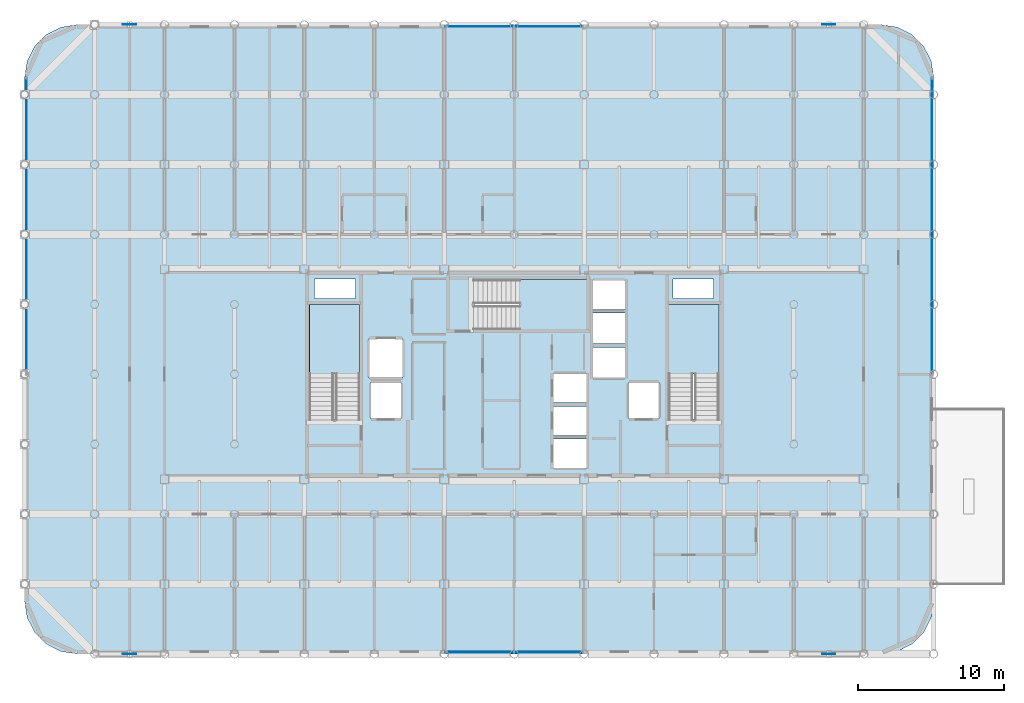
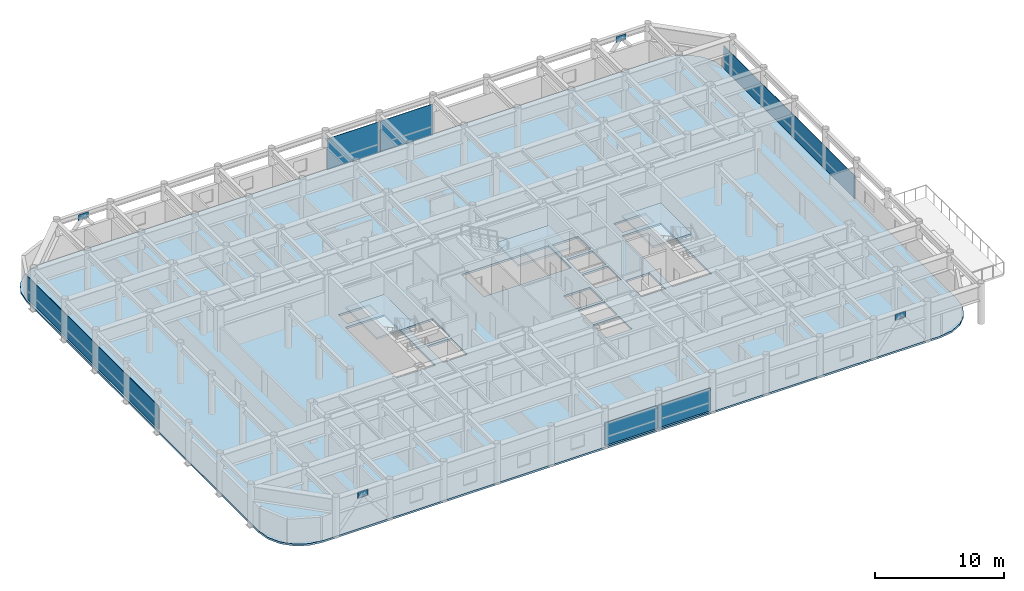
# One storey, part 17 of 25: 10 plates, 4 slabs, 7 elements without a shape of their own.
"""IFC4 building model written with IfcOpenShell, lengths in metres."""

from ifc_helpers import new_model, si_unit, direction, frame, origin, origin_2d, place, context, subcontext, project, spatial, polyline, rectangle, outline, extrude, material, layer, layer_set, type_object, element, aggregate, save


model = new_model("IFC4")

# Units and contexts
model_context = context("Model", 3, precision=1e-05, world=origin(), true_north=direction((0.0, 1.0)))
body_context = subcontext(model_context, "Body", "Model", "MODEL_VIEW")
ifc_project = project(units=[si_unit("LENGTHUNIT", "METRE"), si_unit("AREAUNIT", "SQUARE_METRE"), si_unit("VOLUMEUNIT", "CUBIC_METRE"), si_unit("PLANEANGLEUNIT", "RADIAN"), si_unit("MASSUNIT", "GRAM", prefix="KILO")], contexts=[model_context])

# Site, building, storey
site_placement = place(None, origin())
site = spatial("IfcSite", under=ifc_project, at=site_placement, CompositionType="ELEMENT")
building_placement = place(site_placement, origin())
building = spatial("IfcBuilding", under=site, at=building_placement, Name="Kallvorn Hotel Tower", CompositionType="ELEMENT")
storey_placement = place(building_placement, frame((0.0, 0.0, 249.25)))
storey = spatial("IfcBuildingStorey", under=building, at=storey_placement, Name="L62", CompositionType="ELEMENT", Elevation=249.25)

# Curtain wall, plates
ifc_material_1 = material(Name="Thermally broken black-anodised aluminium AA 6063-T6", Category="aluminium")
ifc_layer_1 = layer(ifc_material_1, 0.22998046875)
ifc_layer_set_1 = layer_set([ifc_layer_1], Name="CW_SYS_5_HOTEL_HIGH")
curtain_wall_type = type_object("IfcCurtainWallType", Name="CW_SYS_5_HOTEL_HIGH", PredefinedType="USERDEFINED", material=ifc_layer_set_1)
curtain_wall_1_placement = place(storey_placement, origin())
curtain_wall_1 = element("IfcCurtainWall", 1, at=curtain_wall_1_placement, inside=storey, type_object=curtain_wall_type, Name="L62 Dark-Glass Curtain Wall CW-L62-SC", ObjectType="UNITISED CURTAIN WALL", PredefinedType="USERDEFINED")
ifc_material_2 = material(Name="Triple-glazed low-e acoustic solar-control dark glass", Category="glass")
ifc_layer_2 = layer(ifc_material_2, 0.04150390625)
ifc_layer_set_2 = layer_set([ifc_layer_2], Name="CW_SYS_5_HOTEL_HIGH_PANEL")
plate_type_1 = type_object("IfcPlateType", Name="CW_SYS_5_HOTEL_HIGH_PANEL", PredefinedType="CURTAIN_PANEL", material=ifc_layer_set_2)
plate_1_placement = place(storey_placement, frame((-2.375, -19.080078125, 0.06005859375), z_axis=(0.0, 0.0, 1.0), x_axis=(1.0, 0.0, 0.0)))
plate_1 = element("IfcPlate", 2, at=plate_1_placement, type_object=plate_type_1, Name="CW-L62-SC Vision Glass Panel 00", PredefinedType="CURTAIN_PANEL", context=body_context, shape_type="SweptSolid", body=[
    extrude(rectangle(XDim=4.68994140625, YDim=0.04150390625, at=origin_2d()), origin(), (0.0, 0.0, 1.0), 2.14990234375),
])
plate_2_placement = place(storey_placement, frame((2.375, -19.080078125, 0.06005859375), z_axis=(0.0, 0.0, 1.0), x_axis=(1.0, 0.0, 0.0)))
plate_2 = element("IfcPlate", 3, at=plate_2_placement, type_object=plate_type_1, Name="CW-L62-SC Vision Glass Panel 01", PredefinedType="CURTAIN_PANEL", context=body_context, shape_type="SweptSolid", body=[
    extrude(rectangle(XDim=4.68994140625, YDim=0.04150390625, at=origin_2d()), origin(), (0.0, 0.0, 1.0), 2.14990234375),
])
aggregate(curtain_wall_1, [plate_1, plate_2])

curtain_wall_2_placement = place(storey_placement, origin())
curtain_wall_2 = element("IfcCurtainWall", 4, at=curtain_wall_2_placement, inside=storey, type_object=curtain_wall_type, Name="L62 Dark-Glass Curtain Wall CW-L62-NC", ObjectType="UNITISED CURTAIN WALL", PredefinedType="USERDEFINED")
plate_3_placement = place(storey_placement, frame((-2.375, 23.8798828125, 0.06005859375), z_axis=(0.0, 0.0, 1.0), x_axis=(1.0, 0.0, 0.0)))
plate_3 = element("IfcPlate", 5, at=plate_3_placement, type_object=plate_type_1, Name="CW-L62-NC Vision Glass Panel 00", PredefinedType="CURTAIN_PANEL", context=body_context, shape_type="SweptSolid", body=[
    extrude(rectangle(XDim=4.68994140625, YDim=0.04150390625, at=origin_2d()), origin(), (0.0, 0.0, 1.0), 2.89990234375),
])
plate_4_placement = place(storey_placement, frame((2.375, 23.8798828125, 0.06005859375), z_axis=(0.0, 0.0, 1.0), x_axis=(1.0, 0.0, 0.0)))
plate_4 = element("IfcPlate", 6, at=plate_4_placement, type_object=plate_type_1, Name="CW-L62-NC Vision Glass Panel 01", PredefinedType="CURTAIN_PANEL", context=body_context, shape_type="SweptSolid", body=[
    extrude(rectangle(XDim=4.68994140625, YDim=0.04150390625, at=origin_2d()), origin(), (0.0, 0.0, 1.0), 2.89990234375),
])
aggregate(curtain_wall_2, [plate_3, plate_4])

# Curtain wall, plate
curtain_wall_3_placement = place(storey_placement, origin())
curtain_wall_3 = element("IfcCurtainWall", 7, at=curtain_wall_3_placement, inside=storey, type_object=curtain_wall_type, Name="L62 Dark-Glass Curtain Wall CW-L62-WN", ObjectType="UNITISED CURTAIN WALL", PredefinedType="USERDEFINED")
plate_5_placement = place(storey_placement, frame((-33.47998046875, 10.2099609375, 0.06005859375), z_axis=(0.0, 0.0, 1.0), x_axis=(0.0, 1.0, 0.0)))
plate_5 = element("IfcPlate", 8, at=plate_5_placement, type_object=plate_type_1, Name="CW-L62-WN Vision Glass Panel 00", PredefinedType="CURTAIN_PANEL", context=body_context, shape_type="SweptSolid", body=[
    extrude(rectangle(XDim=20.320068359375, YDim=0.04150390625, at=origin_2d()), origin(), (0.0, 0.0, 1.0), 2.14990234375),
])
aggregate(curtain_wall_3, [plate_5])

curtain_wall_4_placement = place(storey_placement, origin())
curtain_wall_4 = element("IfcCurtainWall", 9, at=curtain_wall_4_placement, inside=storey, type_object=curtain_wall_type, Name="L62 Dark-Glass Curtain Wall CW-L62-EN", ObjectType="UNITISED CURTAIN WALL", PredefinedType="USERDEFINED")
plate_6_placement = place(storey_placement, frame((28.679931640625, 10.2099609375, 0.06005859375), z_axis=(0.0, 0.0, 1.0), x_axis=(0.0, 1.0, 0.0)))
plate_6 = element("IfcPlate", 10, at=plate_6_placement, type_object=plate_type_1, Name="CW-L62-EN Vision Glass Panel 00", PredefinedType="CURTAIN_PANEL", context=body_context, shape_type="SweptSolid", body=[
    extrude(rectangle(XDim=20.320068359375, YDim=0.04150390625, at=origin_2d()), origin(), (0.0, 0.0, 1.0), 2.14990234375),
])
aggregate(curtain_wall_4, [plate_6])

# Plates
ifc_material_3 = material(Name="Structural steel S355JR", Category="steel")
ifc_layer_3 = layer(ifc_material_3, 0.034912109375)
ifc_layer_set_3 = layer_set([ifc_layer_3], Name="PLT_GUSSET_35")
plate_type_2 = type_object("IfcPlateType", Name="PLT_GUSSET_35", PredefinedType="USERDEFINED", material=ifc_layer_set_3)
for number, where, z_axis, x_axis, name in (
    (11, (-26.39990234375, -19.199951171875, 2.889892578125), (0.0, 0.0, 1.0), (1.0, 0.0, 0.0), "L62 Exoskeleton Node Gusset S1"),
    (12, (21.60009765625, -19.199951171875, 2.889892578125), (0.0, 0.0, 1.0), (1.0, 0.0, 0.0), "L62 Exoskeleton Node Gusset S2"),
    (13, (-26.39990234375, 24.0, 2.889892578125), (0.0, 0.0, 1.0), (1.0, 0.0, 0.0), "L62 Exoskeleton Node Gusset N1"),
    (14, (21.60009765625, 24.0, 2.889892578125), (0.0, 0.0, 1.0), (1.0, 0.0, 0.0), "L62 Exoskeleton Node Gusset N2"),
):
    element("IfcPlate", number, at=place(storey_placement, frame(where, z_axis=z_axis, x_axis=x_axis)), inside=storey, type_object=plate_type_2, Name=name, ObjectType="GUSSET PLATE", PredefinedType="USERDEFINED", context=body_context, shape_type="SweptSolid", body=[
        extrude(rectangle(XDim=0.89990234375, YDim=0.034912109375, at=origin_2d()), origin(), (0.0, 0.0, 1.0), 0.56005859375),
    ])

# Stair, slab
ifc_material_4 = material(Name="Precast concrete C40/50", Category="concrete")
stair_type = type_object("IfcStairType", Name="STR_CORE_DOGLEG", PredefinedType="HALF_TURN_STAIR", material=ifc_material_4)
stair_1_placement = place(storey_placement, origin())
stair_1 = element("IfcStair", 15, at=stair_1_placement, inside=storey, type_object=stair_type, Name="L62 Exit stair ST1", PredefinedType="HALF_TURN_STAIR")
ifc_material_5 = material(Name="Precast concrete C40/50", Category="concrete")
ifc_layer_4 = layer(ifc_material_5, 0.179931640625)
ifc_layer_set_4 = layer_set([ifc_layer_4], Name="SLB_LANDING_180")
slab_type_1 = type_object("IfcSlabType", Name="SLB_LANDING_180", PredefinedType="LANDING", material=ifc_layer_set_4)
slab_1_placement = place(storey_placement, frame((0.0, 0.0, 1.72509765625)))
slab_1 = element("IfcSlab", 16, at=slab_1_placement, type_object=slab_type_1, Name="ST1 landing 1", PredefinedType="LANDING", context=body_context, shape_type="SweptSolid", body=[
    extrude(outline(polyline([(-10.60009765625, 0.010009765625), (-10.60009765625, 4.800048828125), (-14.06005859375, 4.800048828125), (-14.06005859375, 0.010009765625), (-10.60009765625, 0.010009765625)])), origin(), (0.0, 0.0, 1.0), 0.199951171875),
])
aggregate(stair_1, [slab_1])

stair_2_placement = place(storey_placement, origin())
stair_2 = element("IfcStair", 17, at=stair_2_placement, inside=storey, type_object=stair_type, Name="L62 Exit stair ST2", PredefinedType="HALF_TURN_STAIR")
slab_2_placement = place(storey_placement, frame((0.0, 0.0, 1.72509765625)))
slab_2 = element("IfcSlab", 18, at=slab_2_placement, type_object=slab_type_1, Name="ST2 landing 1", PredefinedType="LANDING", context=body_context, shape_type="SweptSolid", body=[
    extrude(outline(polyline([(14.06005859375, 0.010009765625), (14.06005859375, 4.800048828125), (10.60009765625, 4.800048828125), (10.60009765625, 0.010009765625), (14.06005859375, 0.010009765625)])), origin(), (0.0, 0.0, 1.0), 0.199951171875),
])
aggregate(stair_2, [slab_2])

stair_3_placement = place(storey_placement, origin())
stair_3 = element("IfcStair", 19, at=stair_3_placement, inside=storey, type_object=stair_type, Name="L62 Exit stair ST3", PredefinedType="HALF_TURN_STAIR")
slab_3_placement = place(storey_placement, frame((0.0, 0.0, 1.72509765625)))
slab_3 = element("IfcSlab", 20, at=slab_3_placement, type_object=slab_type_1, Name="ST3 landing 1", PredefinedType="LANDING", context=body_context, shape_type="SweptSolid", body=[
    extrude(outline(polyline([(0.360107421875, 3.050048828125), (5.050048828125, 3.050048828125), (5.050048828125, 6.510009765625), (0.360107421875, 6.510009765625), (0.360107421875, 3.050048828125)])), origin(), (0.0, 0.0, 1.0), 0.199951171875),
])
aggregate(stair_3, [slab_3])

# Slab
ifc_material_6 = material(Name="Concrete C40/50", Category="concrete")
ifc_layer_5 = layer(ifc_material_6, 0.179931640625)
ifc_layer_set_5 = layer_set([ifc_layer_5], Name="SLB_TOWER_180")
slab_type_2 = type_object("IfcSlabType", Name="SLB_TOWER_180", PredefinedType="FLOOR", material=ifc_layer_set_5)
slab_4_placement = place(storey_placement, frame((0.0, 0.0, -0.179931640625)))
element("IfcSlab", 21, at=slab_4_placement, inside=storey, type_object=slab_type_2, Name="L62 Structural Floor Slab", PredefinedType="FLOOR", context=body_context, shape_type="SweptSolid", body=[
    extrude(outline(polyline([(25.199951171875, -19.199951171875), (26.3125, -19.023681640625), (27.31591796875, -18.512451171875), (28.112548828125, -17.716064453125), (28.623779296875, -16.71240234375), (28.800048828125, -15.60009765625), (28.800048828125, 20.39990234375), (28.623779296875, 21.512451171875), (28.112548828125, 22.51611328125), (27.31591796875, 23.3125), (26.3125, 23.82373046875), (25.199951171875, 24.0), (-30.0, 24.0), (-31.112548828125, 23.82373046875), (-32.115966796875, 23.3125), (-32.91259765625, 22.51611328125), (-33.423828125, 21.512451171875), (-33.60009765625, 20.39990234375), (-33.60009765625, -15.60009765625), (-33.423828125, -16.71240234375), (-32.91259765625, -17.716064453125), (-32.115966796875, -18.512451171875), (-31.112548828125, -19.023681640625), (-30.0, -19.199951171875), (25.199951171875, -19.199951171875)]), holes=[polyline([(-10.60009765625, -3.070068359375), (-10.60009765625, 4.800048828125), (-14.06005859375, 4.800048828125), (-14.06005859375, -3.070068359375), (-10.60009765625, -3.070068359375)]), polyline([(14.06005859375, -3.070068359375), (14.06005859375, 4.800048828125), (10.60009765625, 4.800048828125), (10.60009765625, -3.070068359375), (14.06005859375, -3.070068359375)]), polyline([(-2.719970703125, 3.050048828125), (5.050048828125, 3.050048828125), (5.050048828125, 6.510009765625), (-2.719970703125, 6.510009765625), (-2.719970703125, 3.050048828125)]), polyline([(2.64990234375, -6.449951171875), (5.0, -6.449951171875), (5.0, -4.449951171875), (2.64990234375, -4.449951171875), (2.64990234375, -6.449951171875)]), polyline([(2.64990234375, -4.199951171875), (5.0, -4.199951171875), (5.0, -2.199951171875), (2.64990234375, -2.199951171875), (2.64990234375, -4.199951171875)]), polyline([(2.64990234375, -1.949951171875), (5.0, -1.949951171875), (5.0, 0.050048828125), (2.64990234375, 0.050048828125), (2.64990234375, -1.949951171875)]), polyline([(5.35009765625, -0.25), (7.64990234375, -0.25), (7.64990234375, 1.85009765625), (5.35009765625, 1.85009765625), (5.35009765625, -0.25)]), polyline([(5.35009765625, 2.10009765625), (7.64990234375, 2.10009765625), (7.64990234375, 4.199951171875), (5.35009765625, 4.199951171875), (5.35009765625, 2.10009765625)]), polyline([(5.35009765625, 4.449951171875), (7.64990234375, 4.449951171875), (7.64990234375, 6.449951171875), (5.35009765625, 6.449951171875), (5.35009765625, 4.449951171875)]), polyline([(-9.85009765625, -3.050048828125), (-7.75, -3.050048828125), (-7.75, -0.550048828125), (-9.85009765625, -0.550048828125), (-9.85009765625, -3.050048828125)]), polyline([(7.85009765625, -3.050048828125), (9.949951171875, -3.050048828125), (9.949951171875, -0.550048828125), (7.85009765625, -0.550048828125), (7.85009765625, -3.050048828125)]), polyline([(-9.949951171875, -0.25), (-7.64990234375, -0.25), (-7.64990234375, 2.449951171875), (-9.949951171875, 2.449951171875), (-9.949951171875, -0.25)]), polyline([(-13.699951171875, 5.199951171875), (-10.89990234375, 5.199951171875), (-10.89990234375, 6.550048828125), (-13.699951171875, 6.550048828125), (-13.699951171875, 5.199951171875)]), polyline([(10.89990234375, 5.199951171875), (13.699951171875, 5.199951171875), (13.699951171875, 6.550048828125), (10.89990234375, 6.550048828125), (10.89990234375, 5.199951171875)])]), origin(), (0.0, 0.0, 1.0), 0.179931640625),
])

save(model, "model.ifc")
